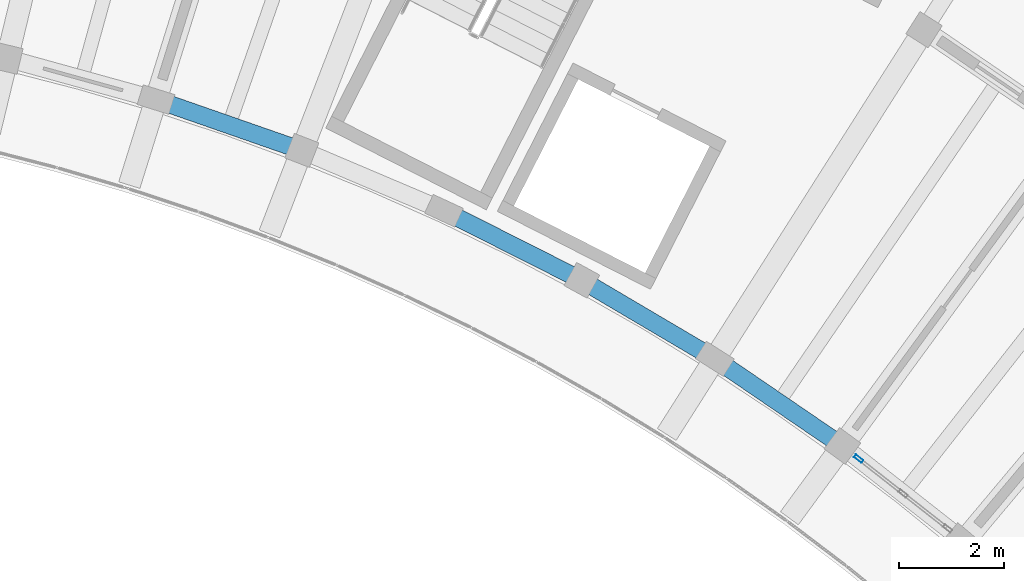
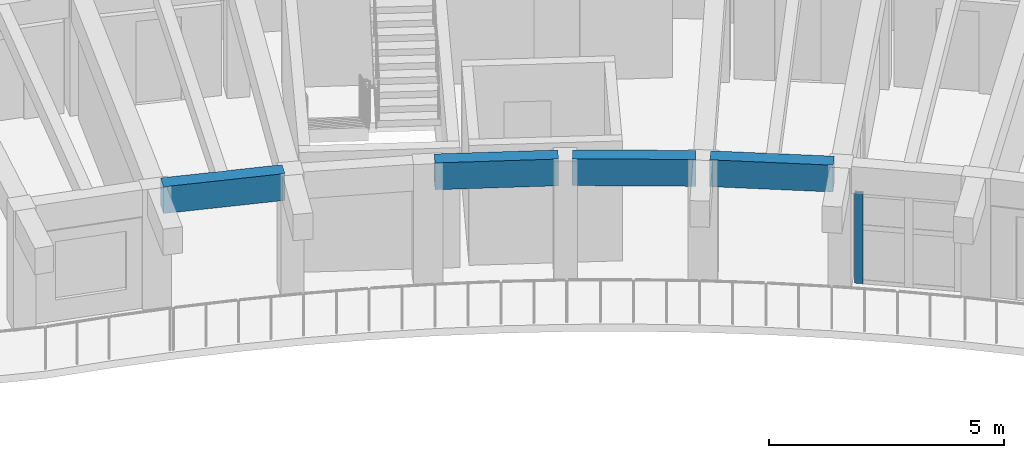
# One storey, part 21 of 62: 4 beams, 1 member, 1 element without a shape of its own.
"""IFC4 building model written with IfcOpenShell, lengths in metres."""

from ifc_helpers import new_model, si_unit, direction, frame, origin, origin_2d, place, context, subcontext, project, spatial, rectangle, hollow_rectangle, extrude, material, material_profile, profile_set, type_object, element, aggregate, save


model = new_model("IFC4")

# Units and contexts
model_context = context("Model", 3, precision=1e-05, world=origin(), true_north=direction((0.0, 1.0)))
body_context = subcontext(model_context, "Body", "Model", "MODEL_VIEW")
ifc_project = project(units=[si_unit("LENGTHUNIT", "METRE"), si_unit("AREAUNIT", "SQUARE_METRE"), si_unit("VOLUMEUNIT", "CUBIC_METRE"), si_unit("PLANEANGLEUNIT", "RADIAN"), si_unit("MASSUNIT", "GRAM", prefix="KILO")], contexts=[model_context])

# Site, building, storey
site_placement = place(None, origin())
site = spatial("IfcSite", under=ifc_project, at=site_placement, CompositionType="ELEMENT")
building_placement = place(site_placement, origin())
building = spatial("IfcBuilding", under=site, at=building_placement, Name="Tanwirah Colonnade Gardens", CompositionType="ELEMENT")
storey_placement = place(building_placement, frame((0.0, 0.0, 32.360107421875)))
storey = spatial("IfcBuildingStorey", under=building, at=storey_placement, Name="L09", CompositionType="ELEMENT", Elevation=32.360107421875)

# Curtain wall, member
ifc_material_1 = material(Name="Bronze-anodised aluminium and solar-control low-E glass", Category="aluminium")
curtain_wall_type = type_object("IfcCurtainWallType", Name="CW-GDN", PredefinedType="NOTDEFINED", material=ifc_material_1)
curtain_wall_placement = place(storey_placement, origin())
curtain_wall = element("IfcCurtainWall", 1, at=curtain_wall_placement, inside=storey, type_object=curtain_wall_type, Name="Curtain Wall CW-B-L09-IN-09", PredefinedType="NOTDEFINED")
ifc_material_2 = material(Name="Bronze-anodised aluminium", Category="aluminium")
ifc_material_profile_1 = material_profile(ifc_material_2, hollow_rectangle(XDim=0.06494140625, YDim=0.179931640625, WallThickness=0.00390625, at=origin_2d()), Name="CW-MUL 65x180x4")
ifc_profile_set_1 = profile_set([ifc_material_profile_1], Name="Bronze-anodised aluminium")
member_type = type_object("IfcMemberType", Name="CWM-65x180", PredefinedType="MULLION", material=ifc_profile_set_1)
member_placement = place(storey_placement, frame((147.5751953125, 95.81689453125, 0.0), z_axis=(0.0, 0.0, 1.0), x_axis=(-0.617188542982, -0.786815291166, 0.0)))
member = element("IfcMember", 2, at=member_placement, type_object=member_type, Name="CW-GDN mullion 3", PredefinedType="MULLION", context=body_context, shape_type="SweptSolid", body=[
    extrude(hollow_rectangle(XDim=0.06494140625, YDim=0.179931640625, WallThickness=0.00390625, at=origin_2d()), origin(), (0.0, 0.0, 1.0), 2.35498046875),
])
aggregate(curtain_wall, [member])

# Beams
ifc_material_3 = material(Name="Precast concrete C40/50", Category="concrete")
ifc_material_profile_2 = material_profile(ifc_material_3, rectangle(XDim=0.3349609375, YDim=0.695068359375, at=origin_2d()), Name="PC-SP 335x695")
ifc_profile_set_2 = profile_set([ifc_material_profile_2], Name="Precast concrete C40/50")
beam_type = type_object("IfcBeamType", Name="SP-PC300", PredefinedType="SPANDREL", material=ifc_profile_set_2)
for number, where, z_axis, x_axis, name in (
    (3, (147.142578125, 96.143798828125, 2.767333984375), (-0.825800981874, 0.563961646158, 0.0), (-0.563961646158, -0.825800981874, 0.0), "Block B L09 Circumferential Beam 10-R0"),
    (4, (144.717529296875, 97.7880859375, 2.767333984375), (-0.861148181788, 0.508354019363, 0.0), (-0.508354019363, -0.861148181788, 0.0), "Block B L09 Circumferential Beam 11-R0"),
    (5, (142.189453125, 99.26904296875, 2.767333984375), (-0.892769015158, 0.450514689632, 0.0), (-0.450514689632, -0.892769015158, 0.0), "Block B L09 Circumferential Beam 12-R0"),
    (6, (136.8681640625, 101.716064453125, 2.767333984375), (-0.944249847334, 0.32922974624, 0.0), (-0.32922974624, -0.944249847334, 0.0), "Block B L09 Circumferential Beam 14-R0"),
):
    element("IfcBeam", number, at=place(storey_placement, frame(where, z_axis=z_axis, x_axis=x_axis)), inside=storey, type_object=beam_type, Name=name, PredefinedType="SPANDREL", context=body_context, shape_type="SweptSolid", body=[
        extrude(rectangle(XDim=0.3349609375, YDim=0.695068359375, at=origin_2d()), origin(), (0.0, 0.0, 1.0), 2.63037109375),
    ])

save(model, "model.ifc")
